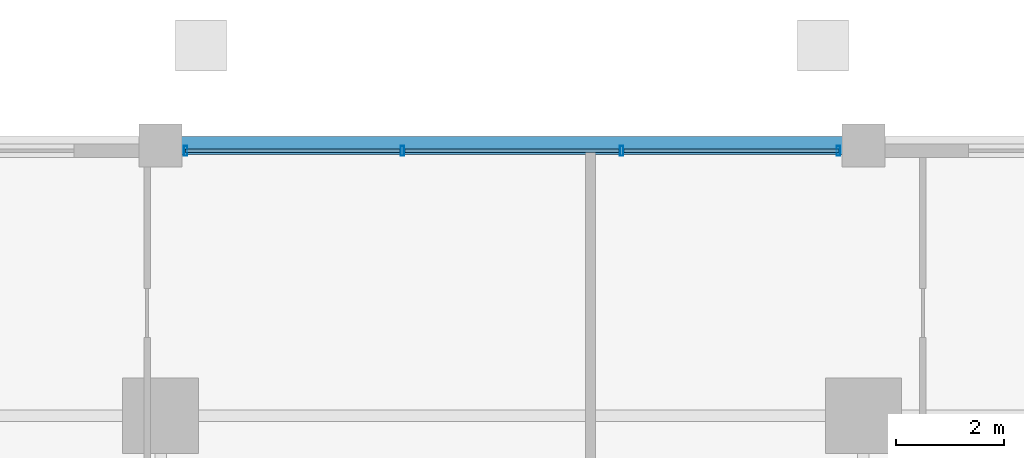
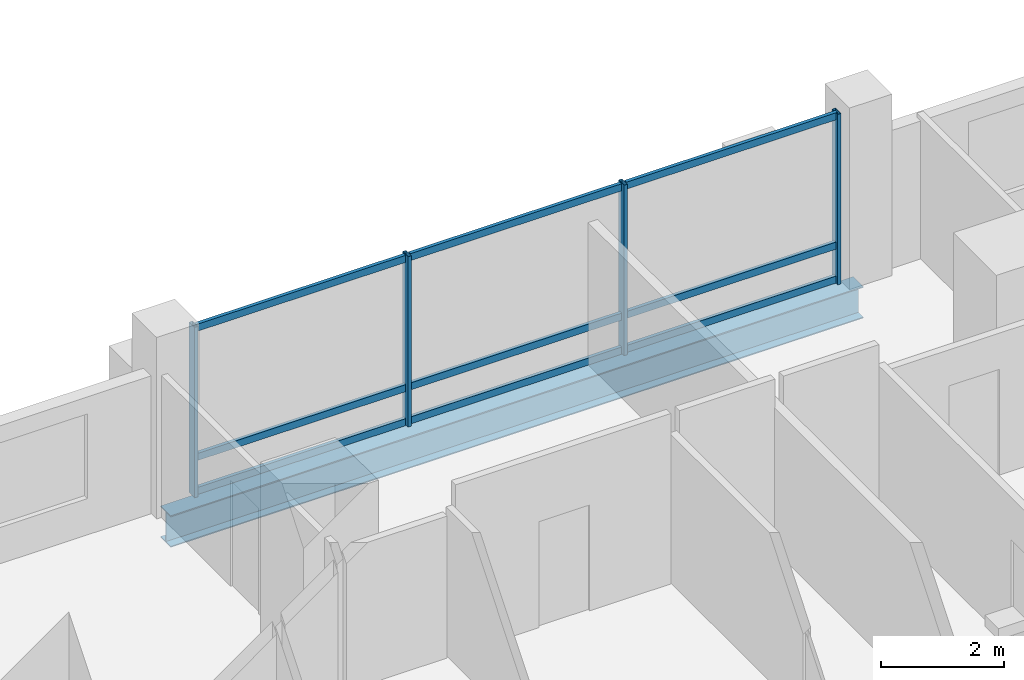
# One storey, part 13 of 24: 13 members, 1 beam, 1 element without a shape of its own.
"""IFC4 building model written with IfcOpenShell, lengths in metres."""

from ifc_helpers import new_model, si_unit, direction, frame, origin, origin_2d, place, context, subcontext, project, spatial, hollow_rectangle, i_section, extrude, material, layer, layer_set, material_profile, profile_set, type_object, element, aggregate, save


model = new_model("IFC4")

# Units and contexts
model_context = context("Model", 3, precision=1e-05, world=origin(), true_north=direction((0.0, 1.0)))
body_context = subcontext(model_context, "Body", "Model", "MODEL_VIEW")
ifc_project = project(units=[si_unit("LENGTHUNIT", "METRE"), si_unit("AREAUNIT", "SQUARE_METRE"), si_unit("VOLUMEUNIT", "CUBIC_METRE"), si_unit("PLANEANGLEUNIT", "RADIAN"), si_unit("MASSUNIT", "GRAM", prefix="KILO")], contexts=[model_context])

# Site, building, storey
site_placement = place(None, origin())
site = spatial("IfcSite", under=ifc_project, at=site_placement, CompositionType="ELEMENT")
building_placement = place(site_placement, origin())
building = spatial("IfcBuilding", under=site, at=building_placement, Name="Barlavira Tower and Art Museum", CompositionType="ELEMENT")
storey_placement = place(building_placement, frame((0.0, 0.0, 32.39990234375)))
storey = spatial("IfcBuildingStorey", under=building, at=storey_placement, Name="L06", CompositionType="ELEMENT", Elevation=32.39990234375)

# Curtain wall, members
ifc_material_1 = material(Name="Low-iron coastal laminated glass", Category="glass")
ifc_layer = layer(ifc_material_1, 0.179931640625, Name="Low-iron coastal laminated glass")
ifc_layer_set = layer_set([ifc_layer], Name="Low-iron coastal laminated glass")
curtain_wall_type = type_object("IfcCurtainWallType", Name="Pale-Metal Unitised Curtain Wall Zone 1", PredefinedType="NOTDEFINED", material=ifc_layer_set)
curtain_wall_placement = place(storey_placement, origin())
curtain_wall = element("IfcCurtainWall", 1, at=curtain_wall_placement, inside=storey, type_object=curtain_wall_type, Name="L06 Curtain Wall CW1-L06-N-B3", PredefinedType="NOTDEFINED")
ifc_material_2 = material(Name="Pale anodised aluminium", Category="aluminium")
ifc_material_profile_1 = material_profile(ifc_material_2, hollow_rectangle(XDim=0.06494140625, YDim=0.179931640625, WallThickness=0.00390625, at=origin_2d()), Name="ALU-MULL 65x180x4")
ifc_profile_set_1 = profile_set([ifc_material_profile_1], Name="Pale anodised aluminium")
member_type_1 = type_object("IfcMemberType", Name="Curtain Wall Pale-Metal Mullion 65x180", PredefinedType="MULLION", material=ifc_profile_set_1)
member_1_placement = place(storey_placement, frame((6.034912109375, 24.89990234375, 0.0), z_axis=(0.0, 0.0, 1.0), x_axis=(-1.0, 0.0, 0.0)))
member_1 = element("IfcMember", 2, at=member_1_placement, type_object=member_type_1, Name="CW1-L06-N-B3 Mullion 0", PredefinedType="MULLION", context=body_context, shape_type="SweptSolid", body=[
    extrude(hollow_rectangle(XDim=0.06494140625, YDim=0.179931640625, WallThickness=0.00390625, at=origin_2d()), origin(), (0.0, 0.0, 1.0), 3.380126953125),
])
member_2_placement = place(storey_placement, frame((2.026611328125, 24.89990234375, 0.0), z_axis=(0.0, 0.0, 1.0), x_axis=(-1.0, 0.0, 0.0)))
member_2 = element("IfcMember", 3, at=member_2_placement, type_object=member_type_1, Name="CW1-L06-N-B3 Mullion 1", PredefinedType="MULLION", context=body_context, shape_type="SweptSolid", body=[
    extrude(hollow_rectangle(XDim=0.06494140625, YDim=0.179931640625, WallThickness=0.00390625, at=origin_2d()), origin(), (0.0, 0.0, 1.0), 3.380126953125),
])
member_3_placement = place(storey_placement, frame((-2.026611328125, 24.89990234375, 0.0), z_axis=(0.0, 0.0, 1.0), x_axis=(-1.0, 0.0, 0.0)))
member_3 = element("IfcMember", 4, at=member_3_placement, type_object=member_type_1, Name="CW1-L06-N-B3 Mullion 2", PredefinedType="MULLION", context=body_context, shape_type="SweptSolid", body=[
    extrude(hollow_rectangle(XDim=0.06494140625, YDim=0.179931640625, WallThickness=0.00390625, at=origin_2d()), origin(), (0.0, 0.0, 1.0), 3.380126953125),
])
member_4_placement = place(storey_placement, frame((-6.034912109375, 24.89990234375, 0.0), z_axis=(0.0, 0.0, 1.0), x_axis=(-1.0, 0.0, 0.0)))
member_4 = element("IfcMember", 5, at=member_4_placement, type_object=member_type_1, Name="CW1-L06-N-B3 Mullion 3", PredefinedType="MULLION", context=body_context, shape_type="SweptSolid", body=[
    extrude(hollow_rectangle(XDim=0.06494140625, YDim=0.179931640625, WallThickness=0.00390625, at=origin_2d()), origin(), (0.0, 0.0, 1.0), 3.380126953125),
])
ifc_material_profile_2 = material_profile(ifc_material_2, hollow_rectangle(XDim=0.06494140625, YDim=0.139892578125, WallThickness=0.00390625, at=origin_2d()), Name="ALU-TRAN 65x140x4")
ifc_profile_set_2 = profile_set([ifc_material_profile_2], Name="Pale anodised aluminium")
member_type_2 = type_object("IfcMemberType", Name="Curtain Wall Pale-Metal Transom 65x140", PredefinedType="USERDEFINED", material=ifc_profile_set_2)
member_5_placement = place(storey_placement, frame((6.034912109375, 24.89990234375, 0.070068359375), z_axis=(-1.0, 0.0, 0.0), x_axis=(0.0, -1.0, 0.0)))
member_5 = element("IfcMember", 6, at=member_5_placement, type_object=member_type_2, Name="CW1-L06-N-B3 Transom 0.1", ObjectType="TRANSOM", PredefinedType="USERDEFINED", context=body_context, shape_type="SweptSolid", body=[
    extrude(hollow_rectangle(XDim=0.06494140625, YDim=0.139892578125, WallThickness=0.00390625, at=origin_2d()), origin(), (0.0, 0.0, 1.0), 3.963134765625),
])
member_6_placement = place(storey_placement, frame((6.034912109375, 24.89990234375, 0.744140625), z_axis=(-1.0, 0.0, 0.0), x_axis=(0.0, -1.0, 0.0)))
member_6 = element("IfcMember", 7, at=member_6_placement, type_object=member_type_2, Name="CW1-L06-N-B3 Transom 0.2", ObjectType="TRANSOM", PredefinedType="USERDEFINED", context=body_context, shape_type="SweptSolid", body=[
    extrude(hollow_rectangle(XDim=0.06494140625, YDim=0.139892578125, WallThickness=0.00390625, at=origin_2d()), origin(), (0.0, 0.0, 1.0), 3.963134765625),
])
member_7_placement = place(storey_placement, frame((6.034912109375, 24.89990234375, 3.31005859375), z_axis=(-1.0, 0.0, 0.0), x_axis=(0.0, -1.0, 0.0)))
member_7 = element("IfcMember", 8, at=member_7_placement, type_object=member_type_2, Name="CW1-L06-N-B3 Transom 0.3", ObjectType="TRANSOM", PredefinedType="USERDEFINED", context=body_context, shape_type="SweptSolid", body=[
    extrude(hollow_rectangle(XDim=0.06494140625, YDim=0.139892578125, WallThickness=0.00390625, at=origin_2d()), origin(), (0.0, 0.0, 1.0), 3.963134765625),
])
member_8_placement = place(storey_placement, frame((1.981689453125, 24.89990234375, 0.070068359375), z_axis=(-1.0, 0.0, 0.0), x_axis=(0.0, -1.0, 0.0)))
member_8 = element("IfcMember", 9, at=member_8_placement, type_object=member_type_2, Name="CW1-L06-N-B3 Transom 1.1", ObjectType="TRANSOM", PredefinedType="USERDEFINED", context=body_context, shape_type="SweptSolid", body=[
    extrude(hollow_rectangle(XDim=0.06494140625, YDim=0.139892578125, WallThickness=0.00390625, at=origin_2d()), origin(), (0.0, 0.0, 1.0), 3.96337890625),
])
member_9_placement = place(storey_placement, frame((1.981689453125, 24.89990234375, 0.744140625), z_axis=(-1.0, 0.0, 0.0), x_axis=(0.0, -1.0, 0.0)))
member_9 = element("IfcMember", 10, at=member_9_placement, type_object=member_type_2, Name="CW1-L06-N-B3 Transom 1.2", ObjectType="TRANSOM", PredefinedType="USERDEFINED", context=body_context, shape_type="SweptSolid", body=[
    extrude(hollow_rectangle(XDim=0.06494140625, YDim=0.139892578125, WallThickness=0.00390625, at=origin_2d()), origin(), (0.0, 0.0, 1.0), 3.96337890625),
])
member_10_placement = place(storey_placement, frame((1.981689453125, 24.89990234375, 3.31005859375), z_axis=(-1.0, 0.0, 0.0), x_axis=(0.0, -1.0, 0.0)))
member_10 = element("IfcMember", 11, at=member_10_placement, type_object=member_type_2, Name="CW1-L06-N-B3 Transom 1.3", ObjectType="TRANSOM", PredefinedType="USERDEFINED", context=body_context, shape_type="SweptSolid", body=[
    extrude(hollow_rectangle(XDim=0.06494140625, YDim=0.139892578125, WallThickness=0.00390625, at=origin_2d()), origin(), (0.0, 0.0, 1.0), 3.96337890625),
])
member_11_placement = place(storey_placement, frame((-2.07177734375, 24.89990234375, 0.070068359375), z_axis=(-1.0, 0.0, 0.0), x_axis=(0.0, -1.0, 0.0)))
member_11 = element("IfcMember", 12, at=member_11_placement, type_object=member_type_2, Name="CW1-L06-N-B3 Transom 2.1", ObjectType="TRANSOM", PredefinedType="USERDEFINED", context=body_context, shape_type="SweptSolid", body=[
    extrude(hollow_rectangle(XDim=0.06494140625, YDim=0.139892578125, WallThickness=0.00390625, at=origin_2d()), origin(), (0.0, 0.0, 1.0), 3.963134765625),
])
member_12_placement = place(storey_placement, frame((-2.07177734375, 24.89990234375, 0.744140625), z_axis=(-1.0, 0.0, 0.0), x_axis=(0.0, -1.0, 0.0)))
member_12 = element("IfcMember", 13, at=member_12_placement, type_object=member_type_2, Name="CW1-L06-N-B3 Transom 2.2", ObjectType="TRANSOM", PredefinedType="USERDEFINED", context=body_context, shape_type="SweptSolid", body=[
    extrude(hollow_rectangle(XDim=0.06494140625, YDim=0.139892578125, WallThickness=0.00390625, at=origin_2d()), origin(), (0.0, 0.0, 1.0), 3.963134765625),
])
member_13_placement = place(storey_placement, frame((-2.07177734375, 24.89990234375, 3.31005859375), z_axis=(-1.0, 0.0, 0.0), x_axis=(0.0, -1.0, 0.0)))
member_13 = element("IfcMember", 14, at=member_13_placement, type_object=member_type_2, Name="CW1-L06-N-B3 Transom 2.3", ObjectType="TRANSOM", PredefinedType="USERDEFINED", context=body_context, shape_type="SweptSolid", body=[
    extrude(hollow_rectangle(XDim=0.06494140625, YDim=0.139892578125, WallThickness=0.00390625, at=origin_2d()), origin(), (0.0, 0.0, 1.0), 3.963134765625),
])
aggregate(curtain_wall, [member_1, member_2, member_3, member_4, member_5, member_6, member_7, member_8, member_9, member_10, member_11, member_12, member_13])

# Beam
ifc_material_3 = material(Name="Steel S355", Category="steel")
ifc_material_profile_3 = material_profile(ifc_material_3, i_section(OverallWidth=0.327880859375, OverallDepth=0.62890625, WebThickness=0.013916015625, FlangeThickness=0.021484375, at=origin_2d()), Name="W610x174.0")
ifc_profile_set_3 = profile_set([ifc_material_profile_3], Name="Steel S355")
beam_type = type_object("IfcBeamType", Name="Perimeter Spandrel Edge Beam W610x174 Steel S355", PredefinedType="SPANDREL", material=ifc_profile_set_3)
beam_placement = place(storey_placement, frame((-6.5, 25.0, -0.534423828125), z_axis=(1.0, 0.0, 0.0), x_axis=(0.0, 1.0, 0.0)))
element("IfcBeam", 15, at=beam_placement, inside=storey, type_object=beam_type, Name="L06 Spandrel 10", PredefinedType="SPANDREL", context=body_context, shape_type="SweptSolid", body=[
    extrude(i_section(OverallWidth=0.327880859375, OverallDepth=0.62890625, WebThickness=0.013916015625, FlangeThickness=0.021484375, at=origin_2d()), origin(), (0.0, 0.0, 1.0), 13.0),
])

save(model, "model.ifc")
